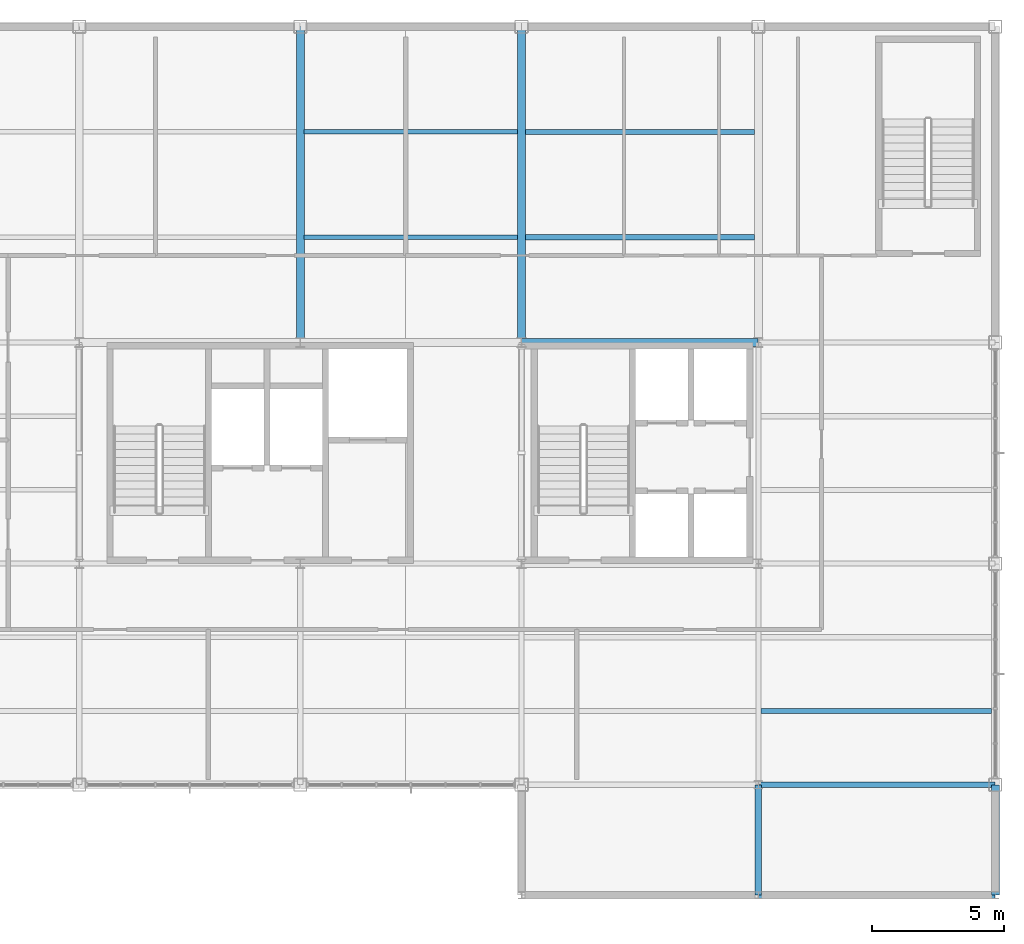
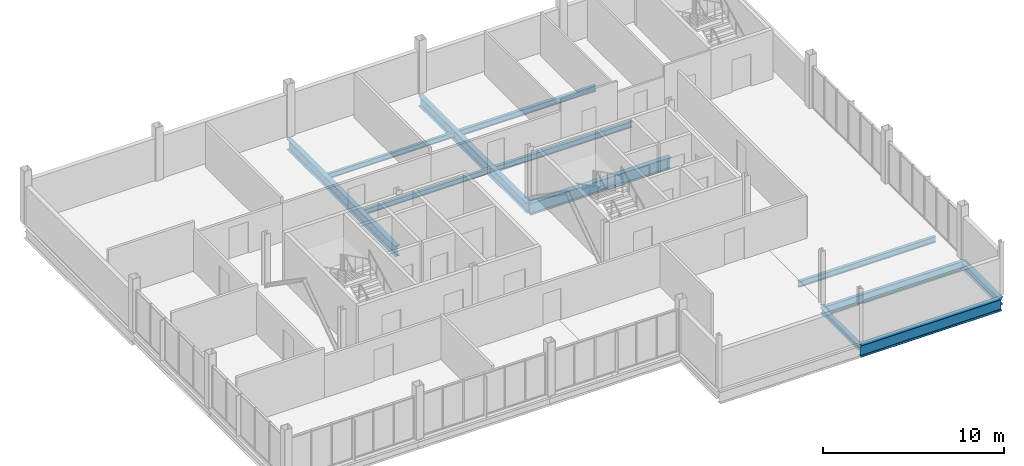
# One storey, part 7 of 16: 12 beams.
"""IFC4 building model written with IfcOpenShell, lengths in metres."""

from ifc_helpers import new_model, si_unit, direction, frame, origin, origin_2d, place, context, subcontext, project, spatial, i_section, extrude, material, material_profile, profile_set, type_object, element, save


model = new_model("IFC4")

# Units and contexts
model_context = context("Model", 3, precision=1e-05, world=origin(), true_north=direction((0.0, 1.0)))
body_context = subcontext(model_context, "Body", "Model", "MODEL_VIEW")
ifc_project = project(units=[si_unit("LENGTHUNIT", "METRE"), si_unit("AREAUNIT", "SQUARE_METRE"), si_unit("VOLUMEUNIT", "CUBIC_METRE"), si_unit("PLANEANGLEUNIT", "RADIAN"), si_unit("MASSUNIT", "GRAM", prefix="KILO")], contexts=[model_context])

# Site, building, storey
site_placement = place(None, origin())
site = spatial("IfcSite", under=ifc_project, at=site_placement, CompositionType="ELEMENT")
building_placement = place(site_placement, origin())
building = spatial("IfcBuilding", under=site, at=building_placement, Name="Yukiwa Park Conservatory and Herbarium", CompositionType="ELEMENT")
storey_placement = place(building_placement, frame((0.0, 0.0, 39.60009765625)))
storey = spatial("IfcBuildingStorey", under=building, at=storey_placement, Name="L10", CompositionType="ELEMENT", Elevation=39.60009765625)

# Beams
ifc_material_1 = material(Name="Steel Q355D", Category="steel")
ifc_material_profile_1 = material_profile(ifc_material_1, i_section(OverallWidth=0.25, OverallDepth=0.35009765625, WebThickness=0.009033203125, FlangeThickness=0.013916015625, FilletRadius=0.02001953125, at=origin_2d()), Name="HM 350x250x9x14")
ifc_profile_set_1 = profile_set([ifc_material_profile_1], Name="Steel Q355D")
beam_type_1 = type_object("IfcBeamType", Name="BM-GRD-HM350", PredefinedType="BEAM", material=ifc_profile_set_1)
beam_1_placement = place(storey_placement, frame((159.0, 82.2060546875, -0.427001953125), z_axis=(0.0, 1.0, 0.0), x_axis=(-1.0, 0.0, 0.0)))
element("IfcBeam", 1, at=beam_1_placement, inside=storey, type_object=beam_type_1, Name="L10 grid girder Y-35", PredefinedType="BEAM", context=body_context, shape_type="SweptSolid", body=[
    extrude(i_section(OverallWidth=0.25, OverallDepth=0.35009765625, WebThickness=0.009033203125, FlangeThickness=0.013916015625, FilletRadius=0.02001953125, at=origin_2d()), origin(), (0.0, 0.0, 1.0), 4.18798828125),
])
ifc_material_2 = material(Name="Steel Q355D", Category="steel")
ifc_material_profile_2 = material_profile(ifc_material_2, i_section(OverallWidth=0.199951171875, OverallDepth=0.60009765625, WebThickness=0.010986328125, FlangeThickness=0.01708984375, FilletRadius=0.02197265625, at=origin_2d()), Name="HN 600x200x11x17")
ifc_profile_set_2 = profile_set([ifc_material_profile_2], Name="Steel Q355D")
beam_type_2 = type_object("IfcBeamType", Name="BM-GRD-HN600", PredefinedType="BEAM", material=ifc_profile_set_2)
beam_2_placement = place(storey_placement, frame((159.006103515625, 86.39990234375, -0.552001953125), z_axis=(1.0, 0.0, 0.0), x_axis=(0.0, 1.0, 0.0)))
element("IfcBeam", 2, at=beam_2_placement, inside=storey, type_object=beam_type_2, Name="L10 grid beam X-7", PredefinedType="BEAM", context=body_context, shape_type="SweptSolid", body=[
    extrude(i_section(OverallWidth=0.199951171875, OverallDepth=0.60009765625, WebThickness=0.010986328125, FlangeThickness=0.01708984375, FilletRadius=0.02197265625, at=origin_2d()), origin(), (0.0, 0.0, 1.0), 8.98779296875),
])
ifc_material_3 = material(Name="Steel Q355D", Category="steel")
ifc_material_profile_3 = material_profile(ifc_material_3, i_section(OverallWidth=0.300048828125, OverallDepth=0.699951171875, WebThickness=0.012939453125, FlangeThickness=0.02392578125, FilletRadius=0.028076171875, at=origin_2d()), Name="HN 700x300x13x24")
ifc_profile_set_3 = profile_set([ifc_material_profile_3], Name="Steel Q355D")
beam_type_3 = type_object("IfcBeamType", Name="BM-GRD-HN700", PredefinedType="BEAM", material=ifc_profile_set_3)
for number, where, z_axis, x_axis, name in (
    (3, (141.60009765625, 103.2060546875, -0.60205078125), (0.0, 1.0, 0.0), (-1.0, 0.0, 0.0), "L10 grid girder Y-30"),
    (4, (150.0, 103.2060546875, -0.60205078125), (0.0, 1.0, 0.0), (-1.0, 0.0, 0.0), "L10 grid girder Y-34"),
):
    element("IfcBeam", number, at=place(storey_placement, frame(where, z_axis=z_axis, x_axis=x_axis)), inside=storey, type_object=beam_type_3, Name=name, PredefinedType="BEAM", context=body_context, shape_type="SweptSolid", body=[
        extrude(i_section(OverallWidth=0.300048828125, OverallDepth=0.699951171875, WebThickness=0.012939453125, FlangeThickness=0.02392578125, FilletRadius=0.028076171875, at=origin_2d()), origin(), (0.0, 0.0, 1.0), 11.988037109375),
    ])
ifc_material_4 = material(Name="Steel Q355D", Category="steel")
ifc_material_profile_4 = material_profile(ifc_material_4, i_section(OverallWidth=0.174072265625, OverallDepth=0.345947265625, WebThickness=0.006103515625, FlangeThickness=0.009033203125, FilletRadius=0.013916015625, at=origin_2d()), Name="HN 346x174x6x9")
ifc_profile_set_4 = profile_set([ifc_material_profile_4], Name="Steel Q355D")
beam_type_4 = type_object("IfcBeamType", Name="BM-JST-HN346", PredefinedType="JOIST", material=ifc_profile_set_4)
for number, where, z_axis, x_axis, name in (
    (5, (141.74609375, 107.199951171875, -0.425048828125), (1.0, 0.0, 0.0), (0.0, 1.0, 0.0), "L10 composite floor joist 13"),
    (6, (141.74609375, 111.199951171875, -0.425048828125), (1.0, 0.0, 0.0), (0.0, 1.0, 0.0), "L10 composite floor joist 14"),
):
    element("IfcBeam", number, at=place(storey_placement, frame(where, z_axis=z_axis, x_axis=x_axis)), inside=storey, type_object=beam_type_4, Name=name, PredefinedType="JOIST", context=body_context, shape_type="SweptSolid", body=[
        extrude(i_section(OverallWidth=0.174072265625, OverallDepth=0.345947265625, WebThickness=0.006103515625, FlangeThickness=0.009033203125, FilletRadius=0.013916015625, at=origin_2d()), origin(), (0.0, 0.0, 1.0), 8.10791015625),
    ])
ifc_material_5 = material(Name="Steel Q355D", Category="steel")
ifc_material_profile_5 = material_profile(ifc_material_5, i_section(OverallWidth=0.198974609375, OverallDepth=0.39599609375, WebThickness=0.007080078125, FlangeThickness=0.010986328125, FilletRadius=0.01611328125, at=origin_2d()), Name="HN 396x199x7x11")
ifc_profile_set_5 = profile_set([ifc_material_profile_5], Name="Steel Q355D")
beam_type_5 = type_object("IfcBeamType", Name="BM-JST-HN396", PredefinedType="JOIST", material=ifc_profile_set_5)
for number, where, z_axis, x_axis, name in (
    (7, (150.14599609375, 107.199951171875, -0.4501953125), (1.0, 0.0, 0.0), (0.0, 1.0, 0.0), "L10 composite floor joist 17"),
    (8, (150.14599609375, 111.199951171875, -0.4501953125), (1.0, 0.0, 0.0), (0.0, 1.0, 0.0), "L10 composite floor joist 18"),
):
    element("IfcBeam", number, at=place(storey_placement, frame(where, z_axis=z_axis, x_axis=x_axis)), inside=storey, type_object=beam_type_5, Name=name, PredefinedType="JOIST", context=body_context, shape_type="SweptSolid", body=[
        extrude(i_section(OverallWidth=0.198974609375, OverallDepth=0.39599609375, WebThickness=0.007080078125, FlangeThickness=0.010986328125, FilletRadius=0.01611328125, at=origin_2d()), origin(), (0.0, 0.0, 1.0), 8.7080078125),
    ])
beam_3_placement = place(storey_placement, frame((159.095947265625, 89.199951171875, -0.4501953125), z_axis=(1.0, 0.0, 0.0), x_axis=(0.0, 1.0, 0.0)))
element("IfcBeam", 9, at=beam_3_placement, inside=storey, type_object=beam_type_5, Name="L10 composite floor joist 19", PredefinedType="JOIST", context=body_context, shape_type="SweptSolid", body=[
    extrude(i_section(OverallWidth=0.198974609375, OverallDepth=0.39599609375, WebThickness=0.007080078125, FlangeThickness=0.010986328125, FilletRadius=0.01611328125, at=origin_2d()), origin(), (0.0, 0.0, 1.0), 8.758056640625),
])
ifc_material_6 = material(Name="Steel Q355D", Category="steel")
ifc_material_profile_6 = material_profile(ifc_material_6, i_section(OverallWidth=0.300048828125, OverallDepth=0.493896484375, WebThickness=0.010986328125, FlangeThickness=0.014892578125, FilletRadius=0.02392578125, at=origin_2d()), Name="HM 494x300x11x15")
ifc_profile_set_6 = profile_set([ifc_material_profile_6], Name="Steel Q355D")
beam_type_6 = type_object("IfcBeamType", Name="BM-SPN-HN450", PredefinedType="SPANDREL", material=ifc_profile_set_6)
beam_4_placement = place(storey_placement, frame((168.0, 82.2060546875, -0.4990234375), z_axis=(0.0, 1.0, 0.0), x_axis=(-1.0, 0.0, 0.0)))
element("IfcBeam", 10, at=beam_4_placement, inside=storey, type_object=beam_type_6, Name="L10 spandrel girder Y-39", PredefinedType="SPANDREL", context=body_context, shape_type="SweptSolid", body=[
    extrude(i_section(OverallWidth=0.300048828125, OverallDepth=0.493896484375, WebThickness=0.010986328125, FlangeThickness=0.014892578125, FilletRadius=0.02392578125, at=origin_2d()), origin(), (0.0, 0.0, 1.0), 4.18798828125),
])
ifc_material_7 = material(Name="Steel Q355D", Category="steel")
ifc_material_profile_7 = material_profile(ifc_material_7, i_section(OverallWidth=0.300048828125, OverallDepth=0.7919921875, WebThickness=0.013916015625, FlangeThickness=0.02197265625, FilletRadius=0.028076171875, at=origin_2d()), Name="HN 792x300x14x22")
ifc_profile_set_7 = profile_set([ifc_material_profile_7], Name="Steel Q355D")
beam_type_7 = type_object("IfcBeamType", Name="BM-SPN-HN600", PredefinedType="SPANDREL", material=ifc_profile_set_7)
for number, where, z_axis, x_axis, name in (
    (11, (159.006103515625, 82.199951171875, -0.648193359375), (1.0, 0.0, 0.0), (0.0, 1.0, 0.0), "L10 spandrel beam X-2"),
    (12, (150.006103515625, 103.199951171875, -0.648193359375), (1.0, 0.0, 0.0), (0.0, 1.0, 0.0), "L10 spandrel beam X-16"),
):
    element("IfcBeam", number, at=place(storey_placement, frame(where, z_axis=z_axis, x_axis=x_axis)), inside=storey, type_object=beam_type_7, Name=name, PredefinedType="SPANDREL", context=body_context, shape_type="SweptSolid", body=[
        extrude(i_section(OverallWidth=0.300048828125, OverallDepth=0.7919921875, WebThickness=0.013916015625, FlangeThickness=0.02197265625, FilletRadius=0.028076171875, at=origin_2d()), origin(), (0.0, 0.0, 1.0), 8.98779296875),
    ])

save(model, "model.ifc")
